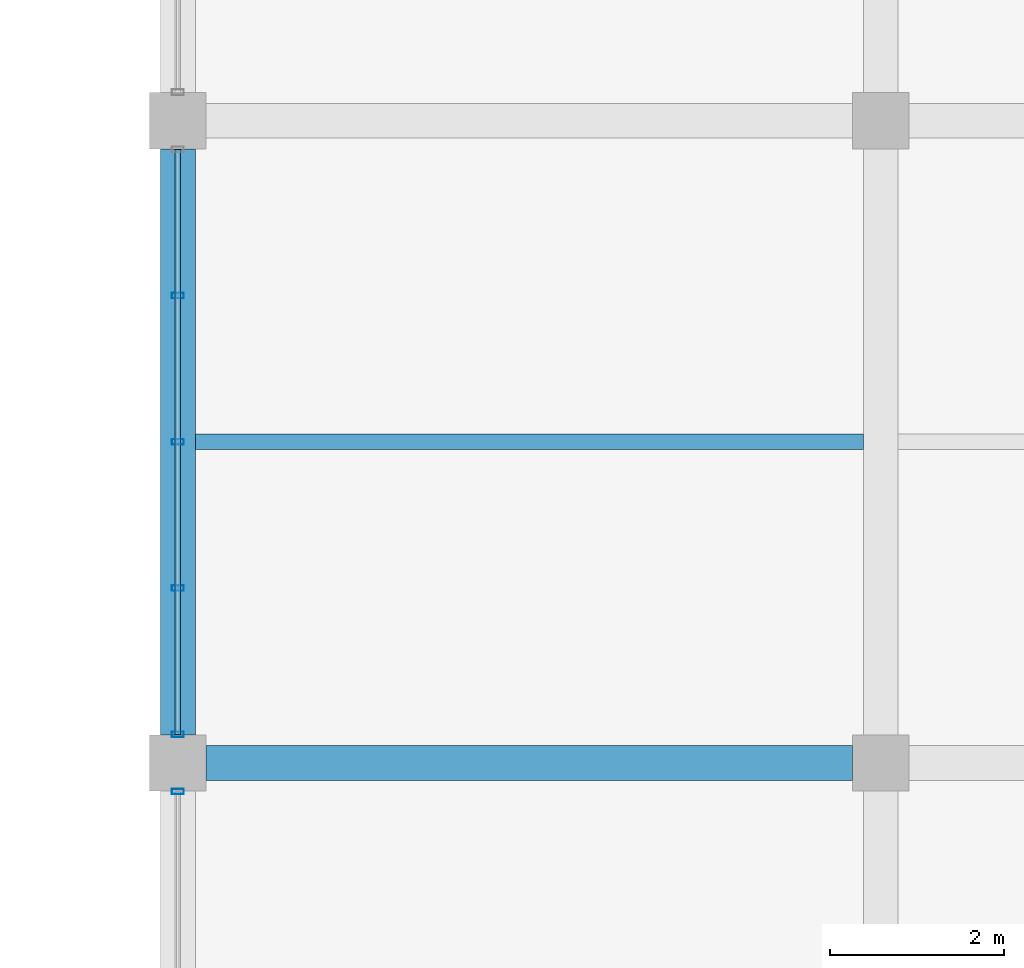
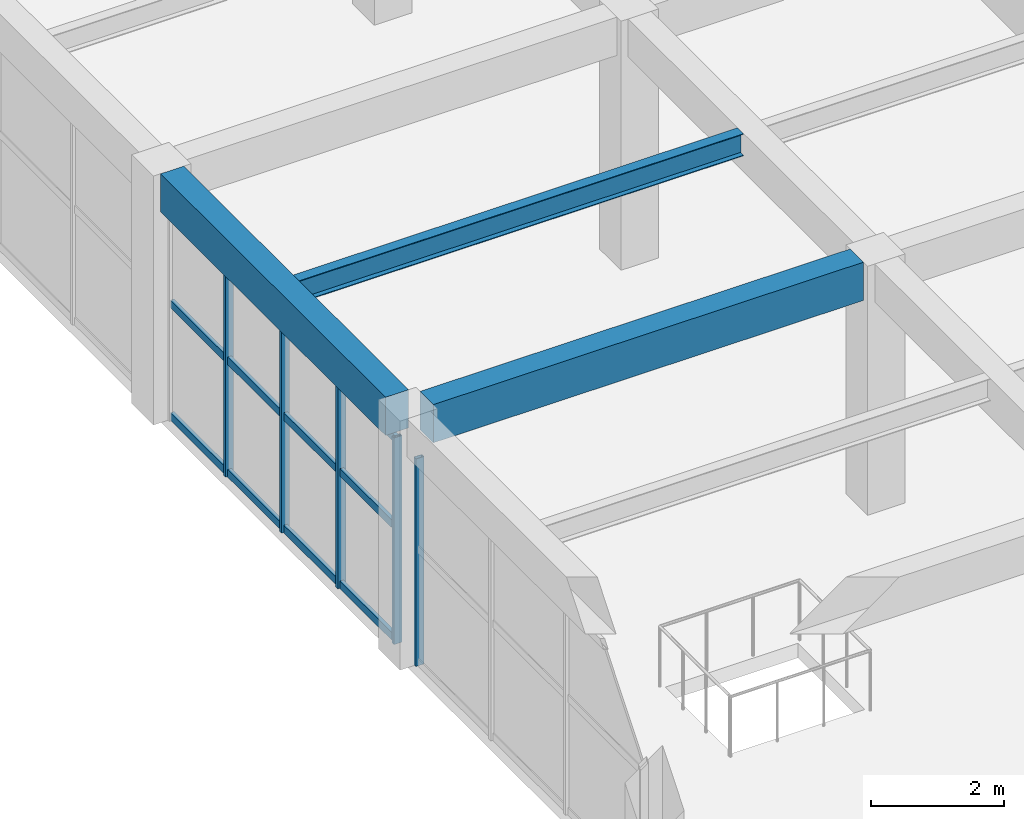
# One storey, part 94 of 161: 8 members, 3 beams, 2 elements without a shape of their own.
"""IFC4 building model written with IfcOpenShell, lengths in metres."""

import ifcopenshell
import ifcopenshell.guid

model = None  # the IFC model being written
_history = None  # IfcOwnerHistory: only IFC2X3 demands one
_inside = {}  # id of a spatial element -> (the spatial element, [elements in it])
_under = {}  # id of a project, library or spatial element -> (it, [spatial elements below it])
_declared = {}  # id of a project -> (the project, [libraries it declares])
_typed = {}  # id of a type object -> (the type object, [elements of that type])
_made_of = {}  # id of a material, layer set ... -> (it, [elements and type objects made of it])


def new_model(schema):
    """Start an empty IFC model of exactly this schema.

    Asked for "IFC4X3", IfcOpenShell would pick the latest addendum, in which some entities
    have other attributes; the version numbers below select the first issue.
    IFC2X3 requires an IfcOwnerHistory on every rooted entity: one is made here for all.
    """
    global model, _history
    if schema == "IFC4X3":
        model = ifcopenshell.file(schema_version=(4, 3, 0, 0))
    else:
        model = ifcopenshell.file(schema=schema)
    _inside.clear()
    _under.clear()
    _declared.clear()
    _typed.clear()
    _made_of.clear()
    _history = None
    if model.schema == "IFC2X3":
        org = make("IfcOrganization", Name="unknown")
        user = make(
            "IfcPersonAndOrganization",
            ThePerson=make("IfcPerson", FamilyName="unknown"),
            TheOrganization=org,
        )
        app = make(
            "IfcApplication",
            ApplicationDeveloper=org,
            Version="unknown",
            ApplicationFullName="unknown",
            ApplicationIdentifier="unknown",
        )
        _history = make(
            "IfcOwnerHistory",
            OwningUser=user,
            OwningApplication=app,
            ChangeAction="ADDED",
            CreationDate=0,
        )
    return model


def make(cls, **values):
    """One entity of the class cls with the attributes given. An attribute that is None is left unset."""
    return model.create_entity(
        cls, **{name: value for name, value in values.items() if value is not None}
    )


def rooted(cls, **values):
    """An entity with a GlobalId (a new one), such as an element, a storey or a relation."""
    return make(cls, GlobalId=ifcopenshell.guid.new(), OwnerHistory=_history, **values)


def si_unit(unit_type, name, prefix=None):
    """IfcSIUnit, for example si_unit("LENGTHUNIT", "METRE", prefix="MILLI")."""
    return make("IfcSIUnit", UnitType=unit_type, Prefix=prefix, Name=name)


def assignment(units):
    """IfcUnitAssignment: the units of a project."""
    return None if units is None else make("IfcUnitAssignment", Units=units)


def point(xyz):
    """IfcCartesianPoint."""
    return None if xyz is None else make("IfcCartesianPoint", Coordinates=xyz)


def direction(xyz):
    """IfcDirection."""
    return None if xyz is None else make("IfcDirection", DirectionRatios=xyz)


def frame(location, z_axis=None, x_axis=None):
    """IfcAxis2Placement3D, a coordinate frame: its origin and axes. An axis left out is left unset."""
    return make(
        "IfcAxis2Placement3D",
        Location=point(location),
        Axis=direction(z_axis),
        RefDirection=direction(x_axis),
    )


def frame_2d(location, x_axis=None):
    """IfcAxis2Placement2D, a coordinate frame in the plane: its origin and x axis."""
    return make(
        "IfcAxis2Placement2D", Location=point(location), RefDirection=direction(x_axis)
    )


def origin():
    """The frame at (0, 0, 0) with its axes left unset."""
    return frame((0.0, 0.0, 0.0))


def origin_2d():
    """The frame at (0, 0) in the plane with its x axis left unset."""
    return frame_2d((0.0, 0.0))


def place(relative_to, where):
    """IfcLocalPlacement: puts the frame where relative to a parent placement (None: the world)."""
    return make(
        "IfcLocalPlacement", PlacementRelTo=relative_to, RelativePlacement=where
    )


def context(
    kind, dimensions, precision=None, world=None, true_north=None, identifier=None
):
    """IfcGeometricRepresentationContext, for example the 3D "Model" context."""
    return make(
        "IfcGeometricRepresentationContext",
        ContextIdentifier=identifier,
        ContextType=kind,
        CoordinateSpaceDimension=dimensions,
        Precision=precision,
        WorldCoordinateSystem=world,
        TrueNorth=true_north,
    )


def subcontext(parent, identifier, kind, view, scale=None):
    """IfcGeometricRepresentationSubContext, for example "Body" below "Model"."""
    return make(
        "IfcGeometricRepresentationSubContext",
        ContextIdentifier=identifier,
        ContextType=kind,
        ParentContext=parent,
        TargetScale=scale,
        TargetView=view,
    )


def project(units=None, contexts=None):
    """IfcProject with its units and contexts."""
    return rooted(
        "IfcProject",
        Name="project",
        RepresentationContexts=contexts,
        UnitsInContext=assignment(units),
    )


def spatial(cls, under=None, at=None, **own):
    """A site, building, storey or space (cls), placed at a placement, below another one or the project."""
    s = rooted(cls, ObjectPlacement=at, **own)
    if under is not None:
        _under.setdefault(under.id(), (under, []))[1].append(s)
    return s


def profile(cls, at=None, kind="AREA", **sizes):
    """A parametric profile (cls). Its sizes go by their IFC names, for example OverallWidth=200.0."""
    return make(cls, ProfileType=kind, Position=at, **sizes)


def rectangle(**sizes):
    """IfcRectangleProfileDef."""
    return profile("IfcRectangleProfileDef", **sizes)


def hollow_rectangle(**sizes):
    """IfcRectangleHollowProfileDef."""
    return profile("IfcRectangleHollowProfileDef", **sizes)


def i_section(**sizes):
    """IfcIShapeProfileDef."""
    return profile("IfcIShapeProfileDef", **sizes)


def extrude(swept, where, along, depth):
    """IfcExtrudedAreaSolid: the profile swept, set in the frame where, extruded along a direction by depth."""
    return make(
        "IfcExtrudedAreaSolid",
        SweptArea=swept,
        Position=where,
        ExtrudedDirection=direction(along),
        Depth=depth,
    )


def shape(context_of_items, identifier, shape_type, items):
    """IfcShapeRepresentation: the items that make up one representation, for example the "Body"."""
    return make(
        "IfcShapeRepresentation",
        ContextOfItems=context_of_items,
        RepresentationIdentifier=identifier,
        RepresentationType=shape_type,
        Items=items,
    )


def material(Name=None, Category=None):
    """IfcMaterial."""
    return make("IfcMaterial", Name=Name, Category=Category)


def material_profile(
    of_material, cross_section, Name=None, Category=None, Priority=None
):
    """IfcMaterialProfile: a cross section and its material."""
    return make(
        "IfcMaterialProfile",
        Name=Name,
        Material=of_material,
        Profile=cross_section,
        Priority=Priority,
        Category=Category,
    )


def profile_set(profiles, Name=None, composite=None):
    """IfcMaterialProfileSet."""
    return make(
        "IfcMaterialProfileSet",
        Name=Name,
        MaterialProfiles=profiles,
        CompositeProfile=composite,
    )


def made_of(thing, what):
    """Note that an element or type object is made of a material, layer set ...; save() writes the relation."""
    if what is not None:
        _made_of.setdefault(what.id(), (what, []))[1].append(thing)
    return thing


def type_object(cls, material=None, **own):
    """A type object (cls), such as IfcWallType, which elements share."""
    return made_of(rooted(cls, **own), material)


def element(
    cls,
    number,
    at=None,
    inside=None,
    cuts=None,
    type_object=None,
    material=None,
    context=None,
    identifier="Body",
    shape_type=None,
    held_by="IfcProductDefinitionShape",
    body=None,
    shapes=None,
    **own,
):
    """One element of the class cls, such as IfcWall. Its Tag is "e" and its number.

    at: its placement. inside: the storey or other place that contains it. cuts: it is an
    opening in that element (IfcRelVoidsElement). A single representation is given by context,
    identifier, shape_type and body (its items); several are given by shapes. held_by: the class
    of the entity that holds the representations. save() writes the other relations.
    """
    e = rooted(cls, Tag="e%d" % number, ObjectPlacement=at, **own)
    if body is not None:
        shapes = [shape(context, identifier, shape_type, body)]
    if shapes is not None:
        e.Representation = make(held_by, Representations=shapes)
    if inside is not None:
        _inside.setdefault(inside.id(), (inside, []))[1].append(e)
    if cuts is not None:
        rooted(
            "IfcRelVoidsElement", RelatingBuildingElement=cuts, RelatedOpeningElement=e
        )
    if type_object is not None:
        _typed.setdefault(type_object.id(), (type_object, []))[1].append(e)
    return made_of(e, material)


def aggregate(whole, parts):
    """IfcRelAggregates: a whole, such as a stair, and the parts it consists of."""
    return rooted("IfcRelAggregates", RelatingObject=whole, RelatedObjects=parts)


def save(model, path):
    """Write the relations noted so far, then the file.

    IfcRelAggregates (storeys below a building ...), IfcRelContainedInSpatialStructure (elements
    in a storey), IfcRelDefinesByType, IfcRelAssociatesMaterial and IfcRelDeclares: one each for
    every whole, place, type object, material and project.
    """
    for whole, parts in _under.values():
        aggregate(whole, parts)
    for where, things in _inside.values():
        rooted(
            "IfcRelContainedInSpatialStructure",
            RelatedElements=things,
            RelatingStructure=where,
        )
    for kind, things in _typed.values():
        rooted("IfcRelDefinesByType", RelatedObjects=things, RelatingType=kind)
    for what, things in _made_of.values():
        rooted("IfcRelAssociatesMaterial", RelatedObjects=things, RelatingMaterial=what)
    for by, libraries in _declared.values():
        rooted("IfcRelDeclares", RelatingContext=by, RelatedDefinitions=libraries)
    model.write(path)


model = new_model("IFC4")

# Units and contexts
model_context = context("Model", 3, precision=1e-05, world=origin(), true_north=direction((0.0, 1.0)))
body_context = subcontext(model_context, "Body", "Model", "MODEL_VIEW")
ifc_project = project(units=[si_unit("LENGTHUNIT", "METRE"), si_unit("AREAUNIT", "SQUARE_METRE"), si_unit("VOLUMEUNIT", "CUBIC_METRE"), si_unit("PLANEANGLEUNIT", "RADIAN"), si_unit("MASSUNIT", "GRAM", prefix="KILO")], contexts=[model_context])

# Site, building, storey
site_placement = place(None, origin())
site = spatial("IfcSite", under=ifc_project, at=site_placement, CompositionType="ELEMENT")
building_placement = place(site_placement, origin())
building = spatial("IfcBuilding", under=site, at=building_placement, Name="Cimatlan Art Gallery", CompositionType="ELEMENT")
storey_placement = place(building_placement, frame((0.0, 0.0, 5.39990234375)))
storey = spatial("IfcBuildingStorey", under=building, at=storey_placement, Name="L01", CompositionType="ELEMENT", Elevation=5.39990234375)

# Beams
ifc_material_1 = material(Name="Concrete C40/50", Category="concrete")
ifc_material_profile_1 = material_profile(ifc_material_1, rectangle(XDim=0.39990234375, YDim=0.699951171875, at=origin_2d()), Name="RC400X700")
ifc_profile_set_1 = profile_set([ifc_material_profile_1], Name="Concrete C40/50")
beam_type_1 = type_object("IfcBeamType", Name="BM-RC-400X700", PredefinedType="BEAM", material=ifc_profile_set_1)
beam_1_placement = place(storey_placement, frame((115.39990234375, 76.02490234375, 4.210205078125), z_axis=(0.0, 1.0, 0.0), x_axis=(-1.0, 0.0, 0.0)))
element("IfcBeam", 1, at=beam_1_placement, inside=storey, type_object=beam_type_1, Name="BM-Y-L01-14-10", PredefinedType="BEAM", context=body_context, shape_type="SweptSolid", body=[
    extrude(rectangle(XDim=0.39990234375, YDim=0.699951171875, at=origin_2d()), origin(), (0.0, 0.0, 1.0), 6.75),
])
beam_2_placement = place(storey_placement, frame((115.72509765625, 75.699951171875, 4.210205078125), z_axis=(1.0, 0.0, 0.0), x_axis=(0.0, 1.0, 0.0)))
element("IfcBeam", 2, at=beam_2_placement, inside=storey, type_object=beam_type_1, Name="BM-X-L01-14-10", PredefinedType="BEAM", context=body_context, shape_type="SweptSolid", body=[
    extrude(rectangle(XDim=0.39990234375, YDim=0.699951171875, at=origin_2d()), origin(), (0.0, 0.0, 1.0), 7.449951171875),
])
ifc_material_2 = material(Name="Steel ASTM A992 Grade 50", Category="steel")
ifc_material_profile_2 = material_profile(ifc_material_2, i_section(OverallWidth=0.177978515625, OverallDepth=0.406982421875, WebThickness=0.0078125, FlangeThickness=0.0126953125, at=origin_2d()), Name="W16X40")
ifc_profile_set_2 = profile_set([ifc_material_profile_2], Name="Steel ASTM A992 Grade 50")
beam_type_2 = type_object("IfcBeamType", Name="BM-STL-W16X40", PredefinedType="JOIST", material=ifc_profile_set_2)
beam_3_placement = place(storey_placement, frame((115.60009765625, 79.39990234375, 4.356689453125), z_axis=(1.0, 0.0, 0.0), x_axis=(0.0, 1.0, 0.0)))
element("IfcBeam", 3, at=beam_3_placement, inside=storey, type_object=beam_type_2, Name="JST-L01-14-10", PredefinedType="JOIST", context=body_context, shape_type="SweptSolid", body=[
    extrude(i_section(OverallWidth=0.177978515625, OverallDepth=0.406982421875, WebThickness=0.0078125, FlangeThickness=0.0126953125, at=origin_2d()), origin(), (0.0, 0.0, 1.0), 7.699951171875),
])

# Curtain wall, member
ifc_material_3 = material(Name="Anodised bronze unitised curtain wall")
curtain_wall_type_1 = type_object("IfcCurtainWallType", Name="CW-V-06742X03800-B3", PredefinedType="NOTDEFINED", material=ifc_material_3)
curtain_wall_1_placement = place(storey_placement, origin())
curtain_wall_1 = element("IfcCurtainWall", 4, at=curtain_wall_1_placement, inside=storey, type_object=curtain_wall_type_1, Name="CW-L01-14-09-W", PredefinedType="NOTDEFINED")
ifc_material_4 = material(Name="Anodised bronze aluminium 6063-T6", Category="aluminium")
ifc_material_profile_3 = material_profile(ifc_material_4, hollow_rectangle(XDim=0.06494140625, YDim=0.139892578125, WallThickness=0.00390625, at=origin_2d()), Name="ALU65X140X4")
ifc_profile_set_3 = profile_set([ifc_material_profile_3], Name="Anodised bronze aluminium 6063-T6")
member_type_1 = type_object("IfcMemberType", Name="CW-MUL-140", PredefinedType="MULLION", material=ifc_profile_set_3)
member_1_placement = place(storey_placement, frame((115.39990234375, 75.37109375, 0.0), z_axis=(0.0, 0.0, 1.0), x_axis=(0.0, 1.0, 0.0)))
member_1 = element("IfcMember", 5, at=member_1_placement, type_object=member_type_1, Name="CW-L01-14-09-W-M4", PredefinedType="MULLION", context=body_context, shape_type="SweptSolid", body=[
    extrude(hollow_rectangle(XDim=0.06494140625, YDim=0.139892578125, WallThickness=0.00390625, at=origin_2d()), origin(), (0.0, 0.0, 1.0), 3.800048828125),
])
aggregate(curtain_wall_1, [member_1])

# Curtain wall, members
curtain_wall_type_2 = type_object("IfcCurtainWallType", Name="CW-V-06742X03785-B4", PredefinedType="NOTDEFINED", material=ifc_material_3)
curtain_wall_2_placement = place(storey_placement, origin())
curtain_wall_2 = element("IfcCurtainWall", 6, at=curtain_wall_2_placement, inside=storey, type_object=curtain_wall_type_2, Name="CW-L01-14-10-W", PredefinedType="NOTDEFINED")
member_2_placement = place(storey_placement, frame((115.39990234375, 76.029052734375, 0.0), z_axis=(0.0, 0.0, 1.0), x_axis=(0.0, 1.0, 0.0)))
member_2 = element("IfcMember", 7, at=member_2_placement, type_object=member_type_1, Name="CW-L01-14-10-W-M1", PredefinedType="MULLION", context=body_context, shape_type="SweptSolid", body=[
    extrude(hollow_rectangle(XDim=0.06494140625, YDim=0.139892578125, WallThickness=0.00390625, at=origin_2d()), origin(), (0.0, 0.0, 1.0), 3.78515625),
])
member_3_placement = place(storey_placement, frame((115.39990234375, 77.714599609375, 0.0), z_axis=(0.0, 0.0, 1.0), x_axis=(0.0, 1.0, 0.0)))
member_3 = element("IfcMember", 8, at=member_3_placement, type_object=member_type_1, Name="CW-L01-14-10-W-M2", PredefinedType="MULLION", context=body_context, shape_type="SweptSolid", body=[
    extrude(hollow_rectangle(XDim=0.06494140625, YDim=0.139892578125, WallThickness=0.00390625, at=origin_2d()), origin(), (0.0, 0.0, 1.0), 3.78515625),
])
member_4_placement = place(storey_placement, frame((115.39990234375, 79.39990234375, 0.0), z_axis=(0.0, 0.0, 1.0), x_axis=(0.0, 1.0, 0.0)))
member_4 = element("IfcMember", 9, at=member_4_placement, type_object=member_type_1, Name="CW-L01-14-10-W-M3", PredefinedType="MULLION", context=body_context, shape_type="SweptSolid", body=[
    extrude(hollow_rectangle(XDim=0.06494140625, YDim=0.139892578125, WallThickness=0.00390625, at=origin_2d()), origin(), (0.0, 0.0, 1.0), 3.78515625),
])
member_5_placement = place(storey_placement, frame((115.39990234375, 81.08544921875, 0.0), z_axis=(0.0, 0.0, 1.0), x_axis=(0.0, 1.0, 0.0)))
member_5 = element("IfcMember", 10, at=member_5_placement, type_object=member_type_1, Name="CW-L01-14-10-W-M4", PredefinedType="MULLION", context=body_context, shape_type="SweptSolid", body=[
    extrude(hollow_rectangle(XDim=0.06494140625, YDim=0.139892578125, WallThickness=0.00390625, at=origin_2d()), origin(), (0.0, 0.0, 1.0), 3.78515625),
])
ifc_material_profile_4 = material_profile(ifc_material_4, hollow_rectangle(XDim=0.06494140625, YDim=0.139892578125, WallThickness=0.00390625, at=origin_2d()), Name="ALU65X140X4")
ifc_profile_set_4 = profile_set([ifc_material_profile_4], Name="Anodised bronze aluminium 6063-T6")
member_type_2 = type_object("IfcMemberType", Name="CW-TRN-140", PredefinedType="USERDEFINED", material=ifc_profile_set_4)
member_6_placement = place(storey_placement, frame((115.39990234375, 76.029052734375, 0.06005859375), z_axis=(0.0, 1.0, 0.0), x_axis=(-1.0, 0.0, 0.0)))
member_6 = element("IfcMember", 11, at=member_6_placement, type_object=member_type_2, Name="CW-L01-14-10-W-T1", ObjectType="TRANSOM", PredefinedType="USERDEFINED", context=body_context, shape_type="SweptSolid", body=[
    extrude(hollow_rectangle(XDim=0.06494140625, YDim=0.139892578125, WallThickness=0.00390625, at=origin_2d()), origin(), (0.0, 0.0, 1.0), 6.741943359375),
])
member_7_placement = place(storey_placement, frame((115.39990234375, 76.029052734375, 2.11962890625), z_axis=(0.0, 1.0, 0.0), x_axis=(-1.0, 0.0, 0.0)))
member_7 = element("IfcMember", 12, at=member_7_placement, type_object=member_type_2, Name="CW-L01-14-10-W-T2", ObjectType="TRANSOM", PredefinedType="USERDEFINED", context=body_context, shape_type="SweptSolid", body=[
    extrude(hollow_rectangle(XDim=0.06494140625, YDim=0.139892578125, WallThickness=0.00390625, at=origin_2d()), origin(), (0.0, 0.0, 1.0), 6.741943359375),
])
member_8_placement = place(storey_placement, frame((115.39990234375, 76.029052734375, 3.72509765625), z_axis=(0.0, 1.0, 0.0), x_axis=(-1.0, 0.0, 0.0)))
member_8 = element("IfcMember", 13, at=member_8_placement, type_object=member_type_2, Name="CW-L01-14-10-W-T3", ObjectType="TRANSOM", PredefinedType="USERDEFINED", context=body_context, shape_type="SweptSolid", body=[
    extrude(hollow_rectangle(XDim=0.06494140625, YDim=0.139892578125, WallThickness=0.00390625, at=origin_2d()), origin(), (0.0, 0.0, 1.0), 6.741943359375),
])
aggregate(curtain_wall_2, [member_2, member_3, member_4, member_5, member_6, member_7, member_8])

save(model, "model.ifc")
